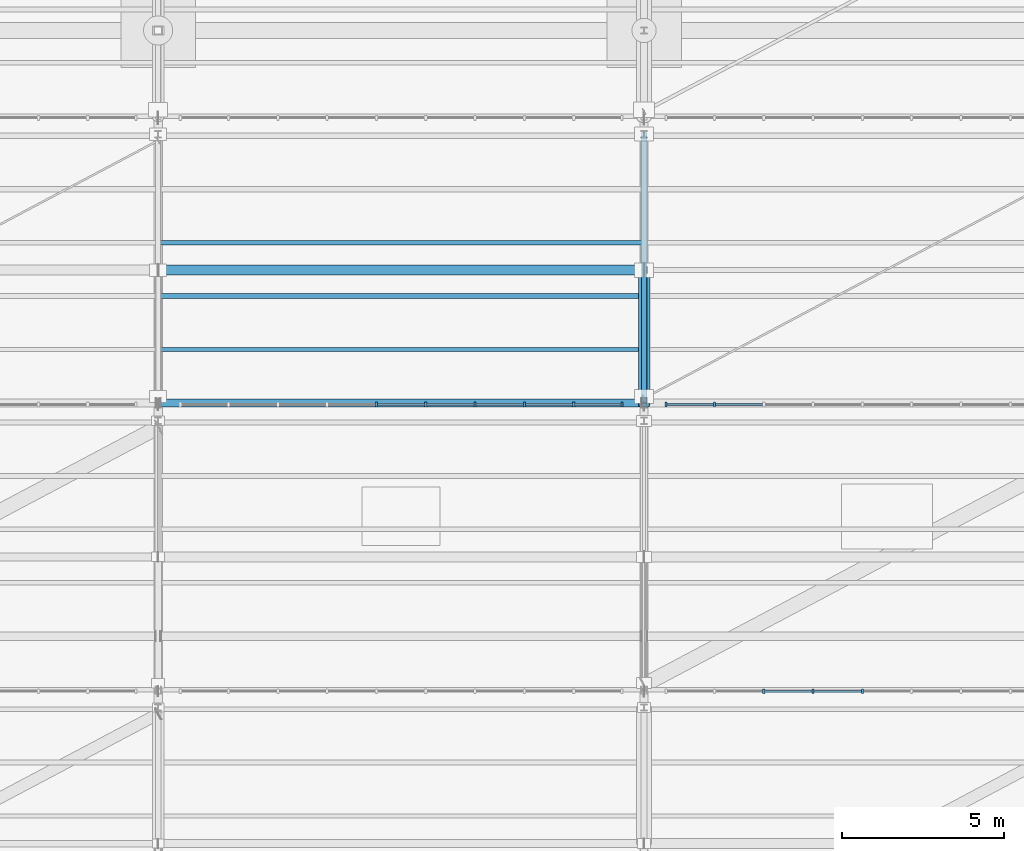
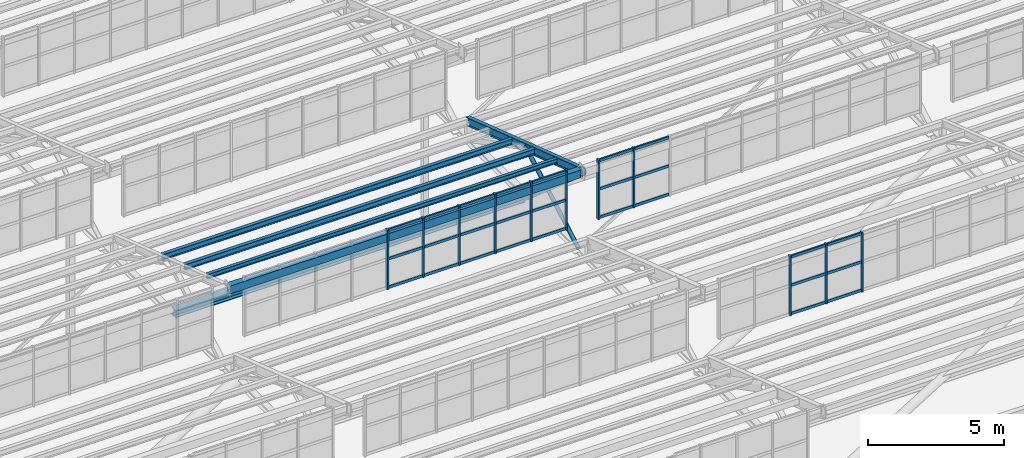
# One storey, part 55 of 285: 41 members, 5 beams, 3 elements without a shape of their own.
"""IFC4 building model written with IfcOpenShell, lengths in metres."""

import ifcopenshell
import ifcopenshell.guid

model = None  # the IFC model being written
_history = None  # IfcOwnerHistory: only IFC2X3 demands one
_inside = {}  # id of a spatial element -> (the spatial element, [elements in it])
_under = {}  # id of a project, library or spatial element -> (it, [spatial elements below it])
_declared = {}  # id of a project -> (the project, [libraries it declares])
_typed = {}  # id of a type object -> (the type object, [elements of that type])
_made_of = {}  # id of a material, layer set ... -> (it, [elements and type objects made of it])


def new_model(schema):
    """Start an empty IFC model of exactly this schema.

    Asked for "IFC4X3", IfcOpenShell would pick the latest addendum, in which some entities
    have other attributes; the version numbers below select the first issue.
    IFC2X3 requires an IfcOwnerHistory on every rooted entity: one is made here for all.
    """
    global model, _history
    if schema == "IFC4X3":
        model = ifcopenshell.file(schema_version=(4, 3, 0, 0))
    else:
        model = ifcopenshell.file(schema=schema)
    _inside.clear()
    _under.clear()
    _declared.clear()
    _typed.clear()
    _made_of.clear()
    _history = None
    if model.schema == "IFC2X3":
        org = make("IfcOrganization", Name="unknown")
        user = make(
            "IfcPersonAndOrganization",
            ThePerson=make("IfcPerson", FamilyName="unknown"),
            TheOrganization=org,
        )
        app = make(
            "IfcApplication",
            ApplicationDeveloper=org,
            Version="unknown",
            ApplicationFullName="unknown",
            ApplicationIdentifier="unknown",
        )
        _history = make(
            "IfcOwnerHistory",
            OwningUser=user,
            OwningApplication=app,
            ChangeAction="ADDED",
            CreationDate=0,
        )
    return model


def make(cls, **values):
    """One entity of the class cls with the attributes given. An attribute that is None is left unset."""
    return model.create_entity(
        cls, **{name: value for name, value in values.items() if value is not None}
    )


def rooted(cls, **values):
    """An entity with a GlobalId (a new one), such as an element, a storey or a relation."""
    return make(cls, GlobalId=ifcopenshell.guid.new(), OwnerHistory=_history, **values)


def si_unit(unit_type, name, prefix=None):
    """IfcSIUnit, for example si_unit("LENGTHUNIT", "METRE", prefix="MILLI")."""
    return make("IfcSIUnit", UnitType=unit_type, Prefix=prefix, Name=name)


def assignment(units):
    """IfcUnitAssignment: the units of a project."""
    return None if units is None else make("IfcUnitAssignment", Units=units)


def point(xyz):
    """IfcCartesianPoint."""
    return None if xyz is None else make("IfcCartesianPoint", Coordinates=xyz)


def direction(xyz):
    """IfcDirection."""
    return None if xyz is None else make("IfcDirection", DirectionRatios=xyz)


def frame(location, z_axis=None, x_axis=None):
    """IfcAxis2Placement3D, a coordinate frame: its origin and axes. An axis left out is left unset."""
    return make(
        "IfcAxis2Placement3D",
        Location=point(location),
        Axis=direction(z_axis),
        RefDirection=direction(x_axis),
    )


def frame_2d(location, x_axis=None):
    """IfcAxis2Placement2D, a coordinate frame in the plane: its origin and x axis."""
    return make(
        "IfcAxis2Placement2D", Location=point(location), RefDirection=direction(x_axis)
    )


def origin():
    """The frame at (0, 0, 0) with its axes left unset."""
    return frame((0.0, 0.0, 0.0))


def origin_2d():
    """The frame at (0, 0) in the plane with its x axis left unset."""
    return frame_2d((0.0, 0.0))


def place(relative_to, where):
    """IfcLocalPlacement: puts the frame where relative to a parent placement (None: the world)."""
    return make(
        "IfcLocalPlacement", PlacementRelTo=relative_to, RelativePlacement=where
    )


def context(
    kind, dimensions, precision=None, world=None, true_north=None, identifier=None
):
    """IfcGeometricRepresentationContext, for example the 3D "Model" context."""
    return make(
        "IfcGeometricRepresentationContext",
        ContextIdentifier=identifier,
        ContextType=kind,
        CoordinateSpaceDimension=dimensions,
        Precision=precision,
        WorldCoordinateSystem=world,
        TrueNorth=true_north,
    )


def subcontext(parent, identifier, kind, view, scale=None):
    """IfcGeometricRepresentationSubContext, for example "Body" below "Model"."""
    return make(
        "IfcGeometricRepresentationSubContext",
        ContextIdentifier=identifier,
        ContextType=kind,
        ParentContext=parent,
        TargetScale=scale,
        TargetView=view,
    )


def project(units=None, contexts=None):
    """IfcProject with its units and contexts."""
    return rooted(
        "IfcProject",
        Name="project",
        RepresentationContexts=contexts,
        UnitsInContext=assignment(units),
    )


def spatial(cls, under=None, at=None, **own):
    """A site, building, storey or space (cls), placed at a placement, below another one or the project."""
    s = rooted(cls, ObjectPlacement=at, **own)
    if under is not None:
        _under.setdefault(under.id(), (under, []))[1].append(s)
    return s


def profile(cls, at=None, kind="AREA", **sizes):
    """A parametric profile (cls). Its sizes go by their IFC names, for example OverallWidth=200.0."""
    return make(cls, ProfileType=kind, Position=at, **sizes)


def rectangle(**sizes):
    """IfcRectangleProfileDef."""
    return profile("IfcRectangleProfileDef", **sizes)


def hollow_rectangle(**sizes):
    """IfcRectangleHollowProfileDef."""
    return profile("IfcRectangleHollowProfileDef", **sizes)


def hollow_circle(**sizes):
    """IfcCircleHollowProfileDef."""
    return profile("IfcCircleHollowProfileDef", **sizes)


def i_section(**sizes):
    """IfcIShapeProfileDef."""
    return profile("IfcIShapeProfileDef", **sizes)


def extrude(swept, where, along, depth):
    """IfcExtrudedAreaSolid: the profile swept, set in the frame where, extruded along a direction by depth."""
    return make(
        "IfcExtrudedAreaSolid",
        SweptArea=swept,
        Position=where,
        ExtrudedDirection=direction(along),
        Depth=depth,
    )


def shape(context_of_items, identifier, shape_type, items):
    """IfcShapeRepresentation: the items that make up one representation, for example the "Body"."""
    return make(
        "IfcShapeRepresentation",
        ContextOfItems=context_of_items,
        RepresentationIdentifier=identifier,
        RepresentationType=shape_type,
        Items=items,
    )


def material(Name=None, Category=None):
    """IfcMaterial."""
    return make("IfcMaterial", Name=Name, Category=Category)


def material_profile(
    of_material, cross_section, Name=None, Category=None, Priority=None
):
    """IfcMaterialProfile: a cross section and its material."""
    return make(
        "IfcMaterialProfile",
        Name=Name,
        Material=of_material,
        Profile=cross_section,
        Priority=Priority,
        Category=Category,
    )


def profile_set(profiles, Name=None, composite=None):
    """IfcMaterialProfileSet."""
    return make(
        "IfcMaterialProfileSet",
        Name=Name,
        MaterialProfiles=profiles,
        CompositeProfile=composite,
    )


def made_of(thing, what):
    """Note that an element or type object is made of a material, layer set ...; save() writes the relation."""
    if what is not None:
        _made_of.setdefault(what.id(), (what, []))[1].append(thing)
    return thing


def type_object(cls, material=None, **own):
    """A type object (cls), such as IfcWallType, which elements share."""
    return made_of(rooted(cls, **own), material)


def element(
    cls,
    number,
    at=None,
    inside=None,
    cuts=None,
    type_object=None,
    material=None,
    context=None,
    identifier="Body",
    shape_type=None,
    held_by="IfcProductDefinitionShape",
    body=None,
    shapes=None,
    **own,
):
    """One element of the class cls, such as IfcWall. Its Tag is "e" and its number.

    at: its placement. inside: the storey or other place that contains it. cuts: it is an
    opening in that element (IfcRelVoidsElement). A single representation is given by context,
    identifier, shape_type and body (its items); several are given by shapes. held_by: the class
    of the entity that holds the representations. save() writes the other relations.
    """
    e = rooted(cls, Tag="e%d" % number, ObjectPlacement=at, **own)
    if body is not None:
        shapes = [shape(context, identifier, shape_type, body)]
    if shapes is not None:
        e.Representation = make(held_by, Representations=shapes)
    if inside is not None:
        _inside.setdefault(inside.id(), (inside, []))[1].append(e)
    if cuts is not None:
        rooted(
            "IfcRelVoidsElement", RelatingBuildingElement=cuts, RelatedOpeningElement=e
        )
    if type_object is not None:
        _typed.setdefault(type_object.id(), (type_object, []))[1].append(e)
    return made_of(e, material)


def aggregate(whole, parts):
    """IfcRelAggregates: a whole, such as a stair, and the parts it consists of."""
    return rooted("IfcRelAggregates", RelatingObject=whole, RelatedObjects=parts)


def save(model, path):
    """Write the relations noted so far, then the file.

    IfcRelAggregates (storeys below a building ...), IfcRelContainedInSpatialStructure (elements
    in a storey), IfcRelDefinesByType, IfcRelAssociatesMaterial and IfcRelDeclares: one each for
    every whole, place, type object, material and project.
    """
    for whole, parts in _under.values():
        aggregate(whole, parts)
    for where, things in _inside.values():
        rooted(
            "IfcRelContainedInSpatialStructure",
            RelatedElements=things,
            RelatingStructure=where,
        )
    for kind, things in _typed.values():
        rooted("IfcRelDefinesByType", RelatedObjects=things, RelatingType=kind)
    for what, things in _made_of.values():
        rooted("IfcRelAssociatesMaterial", RelatedObjects=things, RelatingMaterial=what)
    for by, libraries in _declared.values():
        rooted("IfcRelDeclares", RelatingContext=by, RelatedDefinitions=libraries)
    model.write(path)


model = new_model("IFC4")

# Units and contexts
model_context = context("Model", 3, precision=1e-05, world=origin(), true_north=direction((0.0, 1.0)))
body_context = subcontext(model_context, "Body", "Model", "MODEL_VIEW")
ifc_project = project(units=[si_unit("LENGTHUNIT", "METRE"), si_unit("AREAUNIT", "SQUARE_METRE"), si_unit("VOLUMEUNIT", "CUBIC_METRE"), si_unit("PLANEANGLEUNIT", "RADIAN"), si_unit("MASSUNIT", "GRAM", prefix="KILO")], contexts=[model_context])

# Site, building, storey
site_placement = place(None, origin())
site = spatial("IfcSite", under=ifc_project, at=site_placement, CompositionType="ELEMENT")
building_placement = place(site_placement, origin())
building = spatial("IfcBuilding", under=site, at=building_placement, Name="Solanera Park Tramway Depot", CompositionType="ELEMENT")
storey_placement = place(building_placement, origin())
storey = spatial("IfcBuildingStorey", under=building, at=storey_placement, Name="L00", CompositionType="ELEMENT", Elevation=0.0)

# Curtain wall, members
ifc_material_1 = material(Name="Bronze-anodised thermally broken aluminium curtain wall", Category="aluminium")
curtain_wall_type = type_object("IfcCurtainWallType", Name="Sawtooth Clerestory Monitor Curtain Wall", PredefinedType="NOTDEFINED", material=ifc_material_1)
curtain_wall_1_placement = place(storey_placement, origin())
curtain_wall_1 = element("IfcCurtainWall", 1, at=curtain_wall_1_placement, inside=storey, type_object=curtain_wall_type, Name="L00 Sawtooth Clerestory Monitor Curtain Wall #006", PredefinedType="NOTDEFINED")
ifc_material_2 = material(Name="Bronze-anodised structural aluminium 6063-T6", Category="aluminium")
ifc_material_profile_1 = material_profile(ifc_material_2, rectangle(XDim=0.06494140625, YDim=0.14990234375, at=origin_2d()), Name="Curtain Wall Mullion 65x150")
ifc_profile_set_1 = profile_set([ifc_material_profile_1], Name="Bronze-anodised structural aluminium 6063-T6")
member_type_1 = type_object("IfcMemberType", Name="Curtain Wall Mullion 65x150", PredefinedType="MULLION", material=ifc_profile_set_1)
member_1_placement = place(storey_placement, frame((48.6943359375, 64.60009765625, 7.75), z_axis=(0.0, 0.0, 1.0), x_axis=(1.0, 0.0, 0.0)))
member_1 = element("IfcMember", 2, at=member_1_placement, type_object=member_type_1, Name="CW-L00-006 Mullion 3", PredefinedType="MULLION", context=body_context, shape_type="SweptSolid", body=[
    extrude(rectangle(XDim=0.06494140625, YDim=0.14990234375, at=origin_2d()), origin(), (0.0, 0.0, 1.0), 2.6611328125),
])
member_2_placement = place(storey_placement, frame((50.216796875, 64.60009765625, 7.75), z_axis=(0.0, 0.0, 1.0), x_axis=(1.0, 0.0, 0.0)))
member_2 = element("IfcMember", 3, at=member_2_placement, type_object=member_type_1, Name="CW-L00-006 Mullion 4", PredefinedType="MULLION", context=body_context, shape_type="SweptSolid", body=[
    extrude(rectangle(XDim=0.06494140625, YDim=0.14990234375, at=origin_2d()), origin(), (0.0, 0.0, 1.0), 2.6611328125),
])
member_3_placement = place(storey_placement, frame((51.739013671875, 64.60009765625, 7.75), z_axis=(0.0, 0.0, 1.0), x_axis=(1.0, 0.0, 0.0)))
member_3 = element("IfcMember", 4, at=member_3_placement, type_object=member_type_1, Name="CW-L00-006 Mullion 5", PredefinedType="MULLION", context=body_context, shape_type="SweptSolid", body=[
    extrude(rectangle(XDim=0.06494140625, YDim=0.14990234375, at=origin_2d()), origin(), (0.0, 0.0, 1.0), 2.6611328125),
])

curtain_wall_2_placement = place(storey_placement, origin())
curtain_wall_2 = element("IfcCurtainWall", 5, at=curtain_wall_2_placement, inside=storey, type_object=curtain_wall_type, Name="L00 Sawtooth Clerestory Monitor Curtain Wall #013", PredefinedType="NOTDEFINED")
member_4_placement = place(storey_placement, frame((36.739013671875, 73.449951171875, 7.75), z_axis=(0.0, 0.0, 1.0), x_axis=(1.0, 0.0, 0.0)))
member_4 = element("IfcMember", 6, at=member_4_placement, type_object=member_type_1, Name="CW-L00-013 Mullion 5", PredefinedType="MULLION", context=body_context, shape_type="SweptSolid", body=[
    extrude(rectangle(XDim=0.06494140625, YDim=0.14990234375, at=origin_2d()), origin(), (0.0, 0.0, 1.0), 2.6611328125),
])
member_5_placement = place(storey_placement, frame((38.260986328125, 73.449951171875, 7.75), z_axis=(0.0, 0.0, 1.0), x_axis=(1.0, 0.0, 0.0)))
member_5 = element("IfcMember", 7, at=member_5_placement, type_object=member_type_1, Name="CW-L00-013 Mullion 6", PredefinedType="MULLION", context=body_context, shape_type="SweptSolid", body=[
    extrude(rectangle(XDim=0.06494140625, YDim=0.14990234375, at=origin_2d()), origin(), (0.0, 0.0, 1.0), 2.6611328125),
])
member_6_placement = place(storey_placement, frame((39.783203125, 73.449951171875, 7.75), z_axis=(0.0, 0.0, 1.0), x_axis=(1.0, 0.0, 0.0)))
member_6 = element("IfcMember", 8, at=member_6_placement, type_object=member_type_1, Name="CW-L00-013 Mullion 7", PredefinedType="MULLION", context=body_context, shape_type="SweptSolid", body=[
    extrude(rectangle(XDim=0.06494140625, YDim=0.14990234375, at=origin_2d()), origin(), (0.0, 0.0, 1.0), 2.6611328125),
])
member_7_placement = place(storey_placement, frame((41.3056640625, 73.449951171875, 7.75), z_axis=(0.0, 0.0, 1.0), x_axis=(1.0, 0.0, 0.0)))
member_7 = element("IfcMember", 9, at=member_7_placement, type_object=member_type_1, Name="CW-L00-013 Mullion 8", PredefinedType="MULLION", context=body_context, shape_type="SweptSolid", body=[
    extrude(rectangle(XDim=0.06494140625, YDim=0.14990234375, at=origin_2d()), origin(), (0.0, 0.0, 1.0), 2.6611328125),
])
member_8_placement = place(storey_placement, frame((42.827880859375, 73.449951171875, 7.75), z_axis=(0.0, 0.0, 1.0), x_axis=(1.0, 0.0, 0.0)))
member_8 = element("IfcMember", 10, at=member_8_placement, type_object=member_type_1, Name="CW-L00-013 Mullion 9", PredefinedType="MULLION", context=body_context, shape_type="SweptSolid", body=[
    extrude(rectangle(XDim=0.06494140625, YDim=0.14990234375, at=origin_2d()), origin(), (0.0, 0.0, 1.0), 2.6611328125),
])
member_9_placement = place(storey_placement, frame((44.3173828125, 73.449951171875, 7.75), z_axis=(0.0, 0.0, 1.0), x_axis=(1.0, 0.0, 0.0)))
member_9 = element("IfcMember", 11, at=member_9_placement, type_object=member_type_1, Name="CW-L00-013 Mullion 10", PredefinedType="MULLION", context=body_context, shape_type="SweptSolid", body=[
    extrude(rectangle(XDim=0.06494140625, YDim=0.14990234375, at=origin_2d()), origin(), (0.0, 0.0, 1.0), 2.6611328125),
])

curtain_wall_3_placement = place(storey_placement, origin())
curtain_wall_3 = element("IfcCurtainWall", 12, at=curtain_wall_3_placement, inside=storey, type_object=curtain_wall_type, Name="L00 Sawtooth Clerestory Monitor Curtain Wall #014", PredefinedType="NOTDEFINED")
member_10_placement = place(storey_placement, frame((45.6826171875, 73.449951171875, 7.75), z_axis=(0.0, 0.0, 1.0), x_axis=(1.0, 0.0, 0.0)))
member_10 = element("IfcMember", 13, at=member_10_placement, type_object=member_type_1, Name="CW-L00-014 Mullion 1", PredefinedType="MULLION", context=body_context, shape_type="SweptSolid", body=[
    extrude(rectangle(XDim=0.06494140625, YDim=0.14990234375, at=origin_2d()), origin(), (0.0, 0.0, 1.0), 2.6611328125),
])
member_11_placement = place(storey_placement, frame((47.172119140625, 73.449951171875, 7.75), z_axis=(0.0, 0.0, 1.0), x_axis=(1.0, 0.0, 0.0)))
member_11 = element("IfcMember", 14, at=member_11_placement, type_object=member_type_1, Name="CW-L00-014 Mullion 2", PredefinedType="MULLION", context=body_context, shape_type="SweptSolid", body=[
    extrude(rectangle(XDim=0.06494140625, YDim=0.14990234375, at=origin_2d()), origin(), (0.0, 0.0, 1.0), 2.6611328125),
])

# Member
ifc_material_3 = material(Name="Bronze-anodised structural aluminium 6063-T6", Category="aluminium")
ifc_material_profile_2 = material_profile(ifc_material_3, rectangle(XDim=0.06494140625, YDim=0.1201171875, at=origin_2d()), Name="Curtain Wall Transom 65x120")
ifc_profile_set_2 = profile_set([ifc_material_profile_2], Name="Bronze-anodised structural aluminium 6063-T6")
member_type_2 = type_object("IfcMemberType", Name="Curtain Wall Transom 65x120", PredefinedType="USERDEFINED", material=ifc_profile_set_2)
member_12_placement = place(storey_placement, frame((48.722412109375, 64.60009765625, 7.81005859375), z_axis=(1.0, 0.0, 0.0), x_axis=(0.0, 1.0, 0.0)))
member_12 = element("IfcMember", 15, at=member_12_placement, type_object=member_type_2, Name="CW-L00-006 Transom R1.C3", ObjectType="TRANSOM", PredefinedType="USERDEFINED", context=body_context, shape_type="SweptSolid", body=[
    extrude(rectangle(XDim=0.06494140625, YDim=0.1201171875, at=origin_2d()), origin(), (0.0, 0.0, 1.0), 1.46630859375),
])

member_13_placement = place(storey_placement, frame((50.24462890625, 64.60009765625, 7.81005859375), z_axis=(1.0, 0.0, 0.0), x_axis=(0.0, 1.0, 0.0)))
member_13 = element("IfcMember", 16, at=member_13_placement, type_object=member_type_2, Name="CW-L00-006 Transom R1.C4", ObjectType="TRANSOM", PredefinedType="USERDEFINED", context=body_context, shape_type="SweptSolid", body=[
    extrude(rectangle(XDim=0.06494140625, YDim=0.1201171875, at=origin_2d()), origin(), (0.0, 0.0, 1.0), 1.46630859375),
])

member_14_placement = place(storey_placement, frame((48.722412109375, 64.60009765625, 9.08056640625), z_axis=(1.0, 0.0, 0.0), x_axis=(0.0, 1.0, 0.0)))
member_14 = element("IfcMember", 17, at=member_14_placement, type_object=member_type_2, Name="CW-L00-006 Transom R2.C3", ObjectType="TRANSOM", PredefinedType="USERDEFINED", context=body_context, shape_type="SweptSolid", body=[
    extrude(rectangle(XDim=0.06494140625, YDim=0.1201171875, at=origin_2d()), origin(), (0.0, 0.0, 1.0), 1.46630859375),
])

member_15_placement = place(storey_placement, frame((50.24462890625, 64.60009765625, 9.08056640625), z_axis=(1.0, 0.0, 0.0), x_axis=(0.0, 1.0, 0.0)))
member_15 = element("IfcMember", 18, at=member_15_placement, type_object=member_type_2, Name="CW-L00-006 Transom R2.C4", ObjectType="TRANSOM", PredefinedType="USERDEFINED", context=body_context, shape_type="SweptSolid", body=[
    extrude(rectangle(XDim=0.06494140625, YDim=0.1201171875, at=origin_2d()), origin(), (0.0, 0.0, 1.0), 1.46630859375),
])

member_16_placement = place(storey_placement, frame((48.722412109375, 64.60009765625, 10.351318359375), z_axis=(1.0, 0.0, 0.0), x_axis=(0.0, 1.0, 0.0)))
member_16 = element("IfcMember", 19, at=member_16_placement, type_object=member_type_2, Name="CW-L00-006 Transom R3.C3", ObjectType="TRANSOM", PredefinedType="USERDEFINED", context=body_context, shape_type="SweptSolid", body=[
    extrude(rectangle(XDim=0.06494140625, YDim=0.1201171875, at=origin_2d()), origin(), (0.0, 0.0, 1.0), 1.46630859375),
])

member_17_placement = place(storey_placement, frame((50.24462890625, 64.60009765625, 10.351318359375), z_axis=(1.0, 0.0, 0.0), x_axis=(0.0, 1.0, 0.0)))
member_17 = element("IfcMember", 20, at=member_17_placement, type_object=member_type_2, Name="CW-L00-006 Transom R3.C4", ObjectType="TRANSOM", PredefinedType="USERDEFINED", context=body_context, shape_type="SweptSolid", body=[
    extrude(rectangle(XDim=0.06494140625, YDim=0.1201171875, at=origin_2d()), origin(), (0.0, 0.0, 1.0), 1.46630859375),
])

aggregate(curtain_wall_1, [member_1, member_2, member_3, member_12, member_13, member_14, member_15, member_16, member_17])

member_18_placement = place(storey_placement, frame((36.766845703125, 73.449951171875, 7.81005859375), z_axis=(1.0, 0.0, 0.0), x_axis=(0.0, 1.0, 0.0)))
member_18 = element("IfcMember", 21, at=member_18_placement, type_object=member_type_2, Name="CW-L00-013 Transom R1.C5", ObjectType="TRANSOM", PredefinedType="USERDEFINED", context=body_context, shape_type="SweptSolid", body=[
    extrude(rectangle(XDim=0.06494140625, YDim=0.1201171875, at=origin_2d()), origin(), (0.0, 0.0, 1.0), 1.46630859375),
])

member_19_placement = place(storey_placement, frame((38.2890625, 73.449951171875, 7.81005859375), z_axis=(1.0, 0.0, 0.0), x_axis=(0.0, 1.0, 0.0)))
member_19 = element("IfcMember", 22, at=member_19_placement, type_object=member_type_2, Name="CW-L00-013 Transom R1.C6", ObjectType="TRANSOM", PredefinedType="USERDEFINED", context=body_context, shape_type="SweptSolid", body=[
    extrude(rectangle(XDim=0.06494140625, YDim=0.1201171875, at=origin_2d()), origin(), (0.0, 0.0, 1.0), 1.46630859375),
])

member_20_placement = place(storey_placement, frame((39.811279296875, 73.449951171875, 7.81005859375), z_axis=(1.0, 0.0, 0.0), x_axis=(0.0, 1.0, 0.0)))
member_20 = element("IfcMember", 23, at=member_20_placement, type_object=member_type_2, Name="CW-L00-013 Transom R1.C7", ObjectType="TRANSOM", PredefinedType="USERDEFINED", context=body_context, shape_type="SweptSolid", body=[
    extrude(rectangle(XDim=0.06494140625, YDim=0.1201171875, at=origin_2d()), origin(), (0.0, 0.0, 1.0), 1.46630859375),
])

member_21_placement = place(storey_placement, frame((41.33349609375, 73.449951171875, 7.81005859375), z_axis=(1.0, 0.0, 0.0), x_axis=(0.0, 1.0, 0.0)))
member_21 = element("IfcMember", 24, at=member_21_placement, type_object=member_type_2, Name="CW-L00-013 Transom R1.C8", ObjectType="TRANSOM", PredefinedType="USERDEFINED", context=body_context, shape_type="SweptSolid", body=[
    extrude(rectangle(XDim=0.06494140625, YDim=0.1201171875, at=origin_2d()), origin(), (0.0, 0.0, 1.0), 1.46630859375),
])

member_22_placement = place(storey_placement, frame((42.855712890625, 73.449951171875, 7.81005859375), z_axis=(1.0, 0.0, 0.0), x_axis=(0.0, 1.0, 0.0)))
member_22 = element("IfcMember", 25, at=member_22_placement, type_object=member_type_2, Name="CW-L00-013 Transom R1.C9", ObjectType="TRANSOM", PredefinedType="USERDEFINED", context=body_context, shape_type="SweptSolid", body=[
    extrude(rectangle(XDim=0.06494140625, YDim=0.1201171875, at=origin_2d()), origin(), (0.0, 0.0, 1.0), 1.433837890625),
])

member_23_placement = place(storey_placement, frame((36.766845703125, 73.449951171875, 9.08056640625), z_axis=(1.0, 0.0, 0.0), x_axis=(0.0, 1.0, 0.0)))
member_23 = element("IfcMember", 26, at=member_23_placement, type_object=member_type_2, Name="CW-L00-013 Transom R2.C5", ObjectType="TRANSOM", PredefinedType="USERDEFINED", context=body_context, shape_type="SweptSolid", body=[
    extrude(rectangle(XDim=0.06494140625, YDim=0.1201171875, at=origin_2d()), origin(), (0.0, 0.0, 1.0), 1.46630859375),
])

member_24_placement = place(storey_placement, frame((38.2890625, 73.449951171875, 9.08056640625), z_axis=(1.0, 0.0, 0.0), x_axis=(0.0, 1.0, 0.0)))
member_24 = element("IfcMember", 27, at=member_24_placement, type_object=member_type_2, Name="CW-L00-013 Transom R2.C6", ObjectType="TRANSOM", PredefinedType="USERDEFINED", context=body_context, shape_type="SweptSolid", body=[
    extrude(rectangle(XDim=0.06494140625, YDim=0.1201171875, at=origin_2d()), origin(), (0.0, 0.0, 1.0), 1.46630859375),
])

member_25_placement = place(storey_placement, frame((39.811279296875, 73.449951171875, 9.08056640625), z_axis=(1.0, 0.0, 0.0), x_axis=(0.0, 1.0, 0.0)))
member_25 = element("IfcMember", 28, at=member_25_placement, type_object=member_type_2, Name="CW-L00-013 Transom R2.C7", ObjectType="TRANSOM", PredefinedType="USERDEFINED", context=body_context, shape_type="SweptSolid", body=[
    extrude(rectangle(XDim=0.06494140625, YDim=0.1201171875, at=origin_2d()), origin(), (0.0, 0.0, 1.0), 1.46630859375),
])

member_26_placement = place(storey_placement, frame((41.33349609375, 73.449951171875, 9.08056640625), z_axis=(1.0, 0.0, 0.0), x_axis=(0.0, 1.0, 0.0)))
member_26 = element("IfcMember", 29, at=member_26_placement, type_object=member_type_2, Name="CW-L00-013 Transom R2.C8", ObjectType="TRANSOM", PredefinedType="USERDEFINED", context=body_context, shape_type="SweptSolid", body=[
    extrude(rectangle(XDim=0.06494140625, YDim=0.1201171875, at=origin_2d()), origin(), (0.0, 0.0, 1.0), 1.46630859375),
])

member_27_placement = place(storey_placement, frame((42.855712890625, 73.449951171875, 9.08056640625), z_axis=(1.0, 0.0, 0.0), x_axis=(0.0, 1.0, 0.0)))
member_27 = element("IfcMember", 30, at=member_27_placement, type_object=member_type_2, Name="CW-L00-013 Transom R2.C9", ObjectType="TRANSOM", PredefinedType="USERDEFINED", context=body_context, shape_type="SweptSolid", body=[
    extrude(rectangle(XDim=0.06494140625, YDim=0.1201171875, at=origin_2d()), origin(), (0.0, 0.0, 1.0), 1.433837890625),
])

member_28_placement = place(storey_placement, frame((36.766845703125, 73.449951171875, 10.351318359375), z_axis=(1.0, 0.0, 0.0), x_axis=(0.0, 1.0, 0.0)))
member_28 = element("IfcMember", 31, at=member_28_placement, type_object=member_type_2, Name="CW-L00-013 Transom R3.C5", ObjectType="TRANSOM", PredefinedType="USERDEFINED", context=body_context, shape_type="SweptSolid", body=[
    extrude(rectangle(XDim=0.06494140625, YDim=0.1201171875, at=origin_2d()), origin(), (0.0, 0.0, 1.0), 1.46630859375),
])

member_29_placement = place(storey_placement, frame((38.2890625, 73.449951171875, 10.351318359375), z_axis=(1.0, 0.0, 0.0), x_axis=(0.0, 1.0, 0.0)))
member_29 = element("IfcMember", 32, at=member_29_placement, type_object=member_type_2, Name="CW-L00-013 Transom R3.C6", ObjectType="TRANSOM", PredefinedType="USERDEFINED", context=body_context, shape_type="SweptSolid", body=[
    extrude(rectangle(XDim=0.06494140625, YDim=0.1201171875, at=origin_2d()), origin(), (0.0, 0.0, 1.0), 1.46630859375),
])

member_30_placement = place(storey_placement, frame((39.811279296875, 73.449951171875, 10.351318359375), z_axis=(1.0, 0.0, 0.0), x_axis=(0.0, 1.0, 0.0)))
member_30 = element("IfcMember", 33, at=member_30_placement, type_object=member_type_2, Name="CW-L00-013 Transom R3.C7", ObjectType="TRANSOM", PredefinedType="USERDEFINED", context=body_context, shape_type="SweptSolid", body=[
    extrude(rectangle(XDim=0.06494140625, YDim=0.1201171875, at=origin_2d()), origin(), (0.0, 0.0, 1.0), 1.46630859375),
])

member_31_placement = place(storey_placement, frame((41.33349609375, 73.449951171875, 10.351318359375), z_axis=(1.0, 0.0, 0.0), x_axis=(0.0, 1.0, 0.0)))
member_31 = element("IfcMember", 34, at=member_31_placement, type_object=member_type_2, Name="CW-L00-013 Transom R3.C8", ObjectType="TRANSOM", PredefinedType="USERDEFINED", context=body_context, shape_type="SweptSolid", body=[
    extrude(rectangle(XDim=0.06494140625, YDim=0.1201171875, at=origin_2d()), origin(), (0.0, 0.0, 1.0), 1.46630859375),
])

member_32_placement = place(storey_placement, frame((42.855712890625, 73.449951171875, 10.351318359375), z_axis=(1.0, 0.0, 0.0), x_axis=(0.0, 1.0, 0.0)))
member_32 = element("IfcMember", 35, at=member_32_placement, type_object=member_type_2, Name="CW-L00-013 Transom R3.C9", ObjectType="TRANSOM", PredefinedType="USERDEFINED", context=body_context, shape_type="SweptSolid", body=[
    extrude(rectangle(XDim=0.06494140625, YDim=0.1201171875, at=origin_2d()), origin(), (0.0, 0.0, 1.0), 1.433837890625),
])

aggregate(curtain_wall_2, [member_4, member_5, member_6, member_7, member_8, member_9, member_18, member_19, member_20, member_21, member_22, member_23, member_24, member_25, member_26, member_27, member_28, member_29, member_30, member_31, member_32])

member_33_placement = place(storey_placement, frame((45.71044921875, 73.449951171875, 7.81005859375), z_axis=(1.0, 0.0, 0.0), x_axis=(0.0, 1.0, 0.0)))
member_33 = element("IfcMember", 36, at=member_33_placement, type_object=member_type_2, Name="CW-L00-014 Transom R1.C1", ObjectType="TRANSOM", PredefinedType="USERDEFINED", context=body_context, shape_type="SweptSolid", body=[
    extrude(rectangle(XDim=0.06494140625, YDim=0.1201171875, at=origin_2d()), origin(), (0.0, 0.0, 1.0), 1.433837890625),
])

member_34_placement = place(storey_placement, frame((47.2001953125, 73.449951171875, 7.81005859375), z_axis=(1.0, 0.0, 0.0), x_axis=(0.0, 1.0, 0.0)))
member_34 = element("IfcMember", 37, at=member_34_placement, type_object=member_type_2, Name="CW-L00-014 Transom R1.C2", ObjectType="TRANSOM", PredefinedType="USERDEFINED", context=body_context, shape_type="SweptSolid", body=[
    extrude(rectangle(XDim=0.06494140625, YDim=0.1201171875, at=origin_2d()), origin(), (0.0, 0.0, 1.0), 1.46630859375),
])

member_35_placement = place(storey_placement, frame((45.71044921875, 73.449951171875, 9.08056640625), z_axis=(1.0, 0.0, 0.0), x_axis=(0.0, 1.0, 0.0)))
member_35 = element("IfcMember", 38, at=member_35_placement, type_object=member_type_2, Name="CW-L00-014 Transom R2.C1", ObjectType="TRANSOM", PredefinedType="USERDEFINED", context=body_context, shape_type="SweptSolid", body=[
    extrude(rectangle(XDim=0.06494140625, YDim=0.1201171875, at=origin_2d()), origin(), (0.0, 0.0, 1.0), 1.433837890625),
])

member_36_placement = place(storey_placement, frame((47.2001953125, 73.449951171875, 9.08056640625), z_axis=(1.0, 0.0, 0.0), x_axis=(0.0, 1.0, 0.0)))
member_36 = element("IfcMember", 39, at=member_36_placement, type_object=member_type_2, Name="CW-L00-014 Transom R2.C2", ObjectType="TRANSOM", PredefinedType="USERDEFINED", context=body_context, shape_type="SweptSolid", body=[
    extrude(rectangle(XDim=0.06494140625, YDim=0.1201171875, at=origin_2d()), origin(), (0.0, 0.0, 1.0), 1.46630859375),
])

member_37_placement = place(storey_placement, frame((45.71044921875, 73.449951171875, 10.351318359375), z_axis=(1.0, 0.0, 0.0), x_axis=(0.0, 1.0, 0.0)))
member_37 = element("IfcMember", 40, at=member_37_placement, type_object=member_type_2, Name="CW-L00-014 Transom R3.C1", ObjectType="TRANSOM", PredefinedType="USERDEFINED", context=body_context, shape_type="SweptSolid", body=[
    extrude(rectangle(XDim=0.06494140625, YDim=0.1201171875, at=origin_2d()), origin(), (0.0, 0.0, 1.0), 1.433837890625),
])

member_38_placement = place(storey_placement, frame((47.2001953125, 73.449951171875, 10.351318359375), z_axis=(1.0, 0.0, 0.0), x_axis=(0.0, 1.0, 0.0)))
member_38 = element("IfcMember", 41, at=member_38_placement, type_object=member_type_2, Name="CW-L00-014 Transom R3.C2", ObjectType="TRANSOM", PredefinedType="USERDEFINED", context=body_context, shape_type="SweptSolid", body=[
    extrude(rectangle(XDim=0.06494140625, YDim=0.1201171875, at=origin_2d()), origin(), (0.0, 0.0, 1.0), 1.46630859375),
])

aggregate(curtain_wall_3, [member_10, member_11, member_33, member_34, member_35, member_36, member_37, member_38])

# Members
ifc_material_4 = material(Name="Steel AS/NZS 1163 Grade C350L0", Category="steel")
ifc_material_profile_3 = material_profile(ifc_material_4, hollow_circle(Radius=0.084228515625, WallThickness=0.00634765625, at=origin_2d()), Name="168.3x6.4 CHS")
ifc_profile_set_3 = profile_set([ifc_material_profile_3], Name="Steel AS/NZS 1163 Grade C350L0")
member_type_3 = type_object("IfcMemberType", Name="Roof Gantry Compression Strut 168.3x6.4 CHS", PredefinedType="STRUT", material=ifc_profile_set_3)
member_39_placement = place(storey_placement, frame((45.0, 73.699951171875, 6.5), z_axis=(0.0, 0.869215843308, 0.494432824297), x_axis=(-1.0, 0.0, 0.0)))
element("IfcMember", 42, at=member_39_placement, inside=storey, type_object=member_type_3, Name="Sawtooth ROOF TRUSS Strut 168.3x6.4 CHS #0096", PredefinedType="STRUT", context=body_context, shape_type="SweptSolid", body=[
    extrude(hollow_circle(Radius=0.084228515625, WallThickness=0.00634765625, at=origin_2d()), origin(), (0.0, 0.0, 1.0), 4.487060546875),
])
ifc_material_5 = material(Name="Steel AS/NZS 3679.1 Grade 350", Category="steel")
ifc_material_profile_4 = material_profile(ifc_material_5, i_section(OverallWidth=0.310546875, OverallDepth=0.3271484375, WebThickness=0.015625, FlangeThickness=0.02490234375, at=origin_2d()), Name="310UC158")
ifc_profile_set_4 = profile_set([ifc_material_profile_4], Name="Steel AS/NZS 3679.1 Grade 350")
member_type_4 = type_object("IfcMemberType", Name="Secondary Truss Chord 310UC158", PredefinedType="CHORD", material=ifc_profile_set_4)
member_40_placement = place(storey_placement, frame((30.087890625, 77.60009765625, 6.5), z_axis=(1.0, 0.0, 0.0), x_axis=(0.0, 1.0, 0.0)))
element("IfcMember", 43, at=member_40_placement, inside=storey, type_object=member_type_4, Name="Sawtooth Longitudinal Tie Chord 310UC158 #0121", PredefinedType="CHORD", context=body_context, shape_type="SweptSolid", body=[
    extrude(i_section(OverallWidth=0.310546875, OverallDepth=0.3271484375, WebThickness=0.015625, FlangeThickness=0.02490234375, at=origin_2d()), origin(), (0.0, 0.0, 1.0), 14.82421875),
])

# Beams
ifc_material_6 = material(Name="Steel AS/NZS 3679.1 Grade 350", Category="steel")
ifc_material_profile_5 = material_profile(ifc_material_6, i_section(OverallWidth=0.17138671875, OverallDepth=0.355712890625, WebThickness=0.00732421875, FlangeThickness=0.011474609375, at=origin_2d()), Name="360UB50.7")
ifc_profile_set_5 = profile_set([ifc_material_profile_5], Name="Steel AS/NZS 3679.1 Grade 350")
beam_type_1 = type_object("IfcBeamType", Name="Steel Beam 360UB50.7", PredefinedType="BEAM", material=ifc_profile_set_5)
beam_1_placement = place(storey_placement, frame((45.0, 73.449951171875, 10.10693359375), z_axis=(0.0, 0.948322229475, -0.317308917435), x_axis=(-1.0, 0.0, 0.0)))
element("IfcBeam", 44, at=beam_1_placement, inside=storey, type_object=beam_type_1, Name="Sawtooth ROOF TRUSS Top Rafter 360UB50.7 B03-T4", PredefinedType="BEAM", context=body_context, shape_type="SweptSolid", body=[
    extrude(i_section(OverallWidth=0.17138671875, OverallDepth=0.355712890625, WebThickness=0.00732421875, FlangeThickness=0.011474609375, at=origin_2d()), origin(), (0.0, 0.0, 1.0), 8.80517578125),
])
ifc_material_7 = material(Name="Steel AS/NZS 3679.1 Grade 350", Category="steel")
ifc_material_profile_6 = material_profile(ifc_material_7, i_section(OverallWidth=0.13330078125, OverallDepth=0.203125, WebThickness=0.005859375, FlangeThickness=0.0078125, at=origin_2d()), Name="200UB25.4")
ifc_profile_set_6 = profile_set([ifc_material_profile_6], Name="Steel AS/NZS 3679.1 Grade 350")
beam_type_2 = type_object("IfcBeamType", Name="Steel Joist Purlin 200UB25.4", PredefinedType="JOIST", material=ifc_profile_set_6)
beam_2_placement = place(storey_placement, frame((30.074951171875, 75.14990234375, 9.614013671875), z_axis=(1.0, 0.0, 0.0), x_axis=(0.0, 1.0, 0.0)))
element("IfcBeam", 45, at=beam_2_placement, inside=storey, type_object=beam_type_2, Name="Sawtooth Roof Purlin 200UB25.4 B03.2", PredefinedType="JOIST", context=body_context, shape_type="SweptSolid", body=[
    extrude(i_section(OverallWidth=0.13330078125, OverallDepth=0.203125, WebThickness=0.005859375, FlangeThickness=0.0078125, at=origin_2d()), origin(), (0.0, 0.0, 1.0), 14.84716796875),
])
ifc_material_8 = material(Name="Steel AS/NZS 3679.1 Grade 350", Category="steel")
ifc_material_profile_7 = material_profile(ifc_material_8, i_section(OverallWidth=0.14599609375, OverallDepth=0.251708984375, WebThickness=0.006103515625, FlangeThickness=0.008544921875, at=origin_2d()), Name="250UB31.4")
ifc_profile_set_7 = profile_set([ifc_material_profile_7], Name="Steel AS/NZS 3679.1 Grade 350")
beam_type_3 = type_object("IfcBeamType", Name="Steel Joist Purlin 250UB31.4", PredefinedType="JOIST", material=ifc_profile_set_7)
beam_3_placement = place(storey_placement, frame((30.074951171875, 76.800048828125, 9.03564453125), z_axis=(1.0, 0.0, 0.0), x_axis=(0.0, 1.0, 0.0)))
element("IfcBeam", 46, at=beam_3_placement, inside=storey, type_object=beam_type_3, Name="Sawtooth Roof Purlin 250UB31.4 B03.3", PredefinedType="JOIST", context=body_context, shape_type="SweptSolid", body=[
    extrude(i_section(OverallWidth=0.14599609375, OverallDepth=0.251708984375, WebThickness=0.006103515625, FlangeThickness=0.008544921875, at=origin_2d()), origin(), (0.0, 0.0, 1.0), 14.84716796875),
])
ifc_material_9 = material(Name="Steel AS/NZS 3679.1 Grade 350", Category="steel")
ifc_material_profile_8 = material_profile(ifc_material_9, i_section(OverallWidth=0.146484375, OverallDepth=0.256103515625, WebThickness=0.00634765625, FlangeThickness=0.010986328125, at=origin_2d()), Name="250UB37.3")
ifc_profile_set_8 = profile_set([ifc_material_profile_8], Name="Steel AS/NZS 3679.1 Grade 350")
beam_type_4 = type_object("IfcBeamType", Name="Steel Joist Purlin 250UB37.3", PredefinedType="JOIST", material=ifc_profile_set_8)
beam_4_placement = place(storey_placement, frame((30.074951171875, 78.449951171875, 8.481201171875), z_axis=(1.0, 0.0, 0.0), x_axis=(0.0, 1.0, 0.0)))
element("IfcBeam", 47, at=beam_4_placement, inside=storey, type_object=beam_type_4, Name="Sawtooth Roof Purlin 250UB37.3 B03.4", PredefinedType="JOIST", context=body_context, shape_type="SweptSolid", body=[
    extrude(i_section(OverallWidth=0.146484375, OverallDepth=0.256103515625, WebThickness=0.00634765625, FlangeThickness=0.010986328125, at=origin_2d()), origin(), (0.0, 0.0, 1.0), 14.84716796875),
])
ifc_material_10 = material(Name="Steel AS/NZS 1163 Grade C350L0", Category="steel")
ifc_material_profile_9 = material_profile(ifc_material_10, hollow_rectangle(XDim=0.25, YDim=0.35009765625, WallThickness=0.010009765625, at=origin_2d()), Name="350x250x10.0 RHS")
ifc_profile_set_9 = profile_set([ifc_material_profile_9], Name="Steel AS/NZS 1163 Grade C350L0")
beam_type_5 = type_object("IfcBeamType", Name="Steel Joist Purlin 350x250x10.0 RHS", PredefinedType="JOIST", material=ifc_profile_set_9)
beam_5_placement = place(storey_placement, frame((30.074951171875, 73.5, 10.0732421875), z_axis=(1.0, 0.0, 0.0), x_axis=(0.0, 1.0, 0.0)))
element("IfcBeam", 48, at=beam_5_placement, inside=storey, type_object=beam_type_5, Name="Sawtooth Roof Purlin 350x250x10.0 RHS B03.1", PredefinedType="JOIST", context=body_context, shape_type="SweptSolid", body=[
    extrude(hollow_rectangle(XDim=0.25, YDim=0.35009765625, WallThickness=0.010009765625, at=origin_2d()), origin(), (0.0, 0.0, 1.0), 14.84716796875),
])

# Member
ifc_material_11 = material(Name="Steel AS/NZS 1163 Grade C350L0", Category="steel")
ifc_material_profile_10 = material_profile(ifc_material_11, hollow_circle(Radius=0.177734375, WallThickness=0.0126953125, at=origin_2d()), Name="355.6x12.7 CHS")
ifc_profile_set_10 = profile_set([ifc_material_profile_10], Name="Steel AS/NZS 1163 Grade C350L0")
member_type_5 = type_object("IfcMemberType", Name="Truss and Frame Brace 355.6x12.7 CHS", PredefinedType="BRACE", material=ifc_profile_set_10)
member_41_placement = place(storey_placement, frame((45.0, 77.60009765625, 6.5), z_axis=(0.0, -0.754775645554, 0.655983021791), x_axis=(1.0, 0.0, 0.0)))
element("IfcMember", 49, at=member_41_placement, inside=storey, type_object=member_type_5, Name="Sawtooth ROOF TRUSS Web Brace 355.6x12.7 CHS #0094", PredefinedType="BRACE", context=body_context, shape_type="SweptSolid", body=[
    extrude(hollow_circle(Radius=0.177734375, WallThickness=0.0126953125, at=origin_2d()), origin(), (0.0, 0.0, 1.0), 5.49853515625),
])

save(model, "model.ifc")
